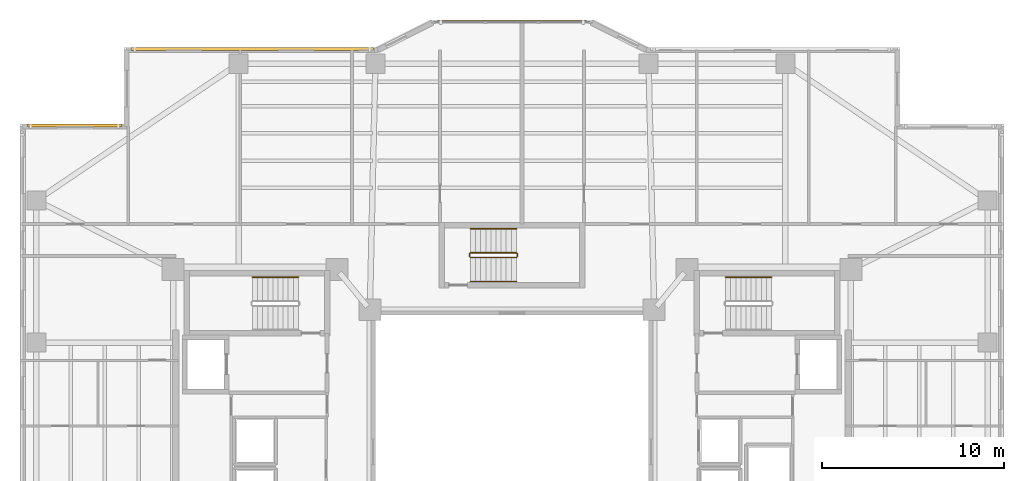
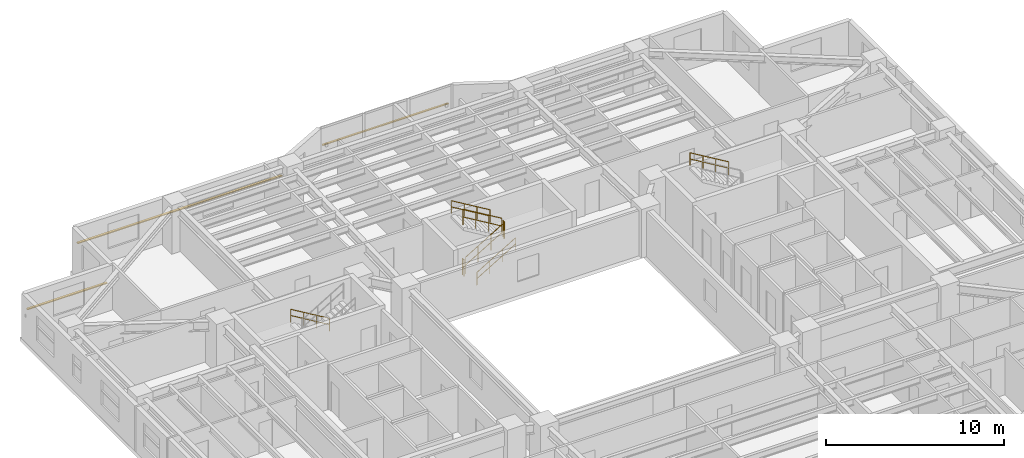
# One storey, part 17 of 18: 8 railings, 3 shading devices.
"""IFC4 building model written with IfcOpenShell, lengths in metres."""

from ifc_helpers import new_model, si_unit, direction, frame, origin, origin_2d, place, context, subcontext, project, spatial, rectangle, circle, extrude, material, material_profile, profile_set, type_object, element, save


model = new_model("IFC4")

# Units and contexts
model_context = context("Model", 3, precision=1e-05, world=origin(), true_north=direction((0.0, 1.0)))
body_context = subcontext(model_context, "Body", "Model", "MODEL_VIEW")
ifc_project = project(units=[si_unit("LENGTHUNIT", "METRE"), si_unit("AREAUNIT", "SQUARE_METRE"), si_unit("VOLUMEUNIT", "CUBIC_METRE"), si_unit("PLANEANGLEUNIT", "RADIAN"), si_unit("MASSUNIT", "GRAM", prefix="KILO")], contexts=[model_context])

# Site, building, storey
site_placement = place(None, origin())
site = spatial("IfcSite", under=ifc_project, at=site_placement, CompositionType="ELEMENT")
building_placement = place(site_placement, origin())
building = spatial("IfcBuilding", under=site, at=building_placement, Name="Tarnavaz Court Tower", CompositionType="ELEMENT")
storey_placement = place(building_placement, frame((0.0, 0.0, 105.10009765625)))
storey = spatial("IfcBuildingStorey", under=building, at=storey_placement, Name="L28", CompositionType="ELEMENT", Elevation=105.10009765625)

# Railings
ifc_material_1 = material(Name="Brushed Stainless Steel", Category="steel")
railing_type_1 = type_object("IfcRailingType", Name="RL-HANDRAIL-900", PredefinedType="HANDRAIL", material=ifc_material_1)
railing_1_placement = place(storey_placement, frame((-11.719970703125, 9.590087890625, 0.16748046875)))
element("IfcRailing", 1, at=railing_1_placement, inside=storey, type_object=railing_type_1, Name="L28 ST-W1 stair handrail 1", PredefinedType="HANDRAIL", context=body_context, shape_type="SweptSolid", body=[
    extrude(circle(Radius=0.02392578125, at=origin_2d()), frame((0.0, 0.0, 0.8759765625), z_axis=(-0.858196387827, 0.0, 0.513321497621), x_axis=(0.0, -1.0, 0.0)), (0.0, 0.0, 1.0), 2.9365234375),
    extrude(circle(Radius=0.02392578125, at=origin_2d()), frame((0.0, 0.0, 0.449951171875), z_axis=(-0.858196387827, 0.0, 0.513321497621), x_axis=(0.0, -1.0, 0.0)), (0.0, 0.0, 1.0), 2.9365234375),
    extrude(circle(Radius=0.02099609375, at=origin_2d()), origin(), (0.0, 0.0, 1.0), 0.851806640625),
    extrude(circle(Radius=0.02099609375, at=origin_2d()), frame((-0.840087890625, 0.0, 0.50244140625)), (0.0, 0.0, 1.0), 0.851806640625),
    extrude(circle(Radius=0.02099609375, at=origin_2d()), frame((-1.679931640625, 0.0, 1.0048828125)), (0.0, 0.0, 1.0), 0.851806640625),
    extrude(circle(Radius=0.02099609375, at=origin_2d()), frame((-2.52001953125, 0.0, 1.50732421875)), (0.0, 0.0, 1.0), 0.851806640625),
])
railing_2_placement = place(storey_placement, frame((14.239990234375, 9.590087890625, 1.84228515625)))
element("IfcRailing", 2, at=railing_2_placement, inside=storey, type_object=railing_type_1, Name="L28 ST-E1 stair handrail 2", PredefinedType="HANDRAIL", context=body_context, shape_type="SweptSolid", body=[
    extrude(circle(Radius=0.02392578125, at=origin_2d()), frame((0.0, 0.0, 0.8759765625), z_axis=(-0.858159760407, 0.0, 0.513382728203), x_axis=(0.0, -1.0, 0.0)), (0.0, 0.0, 1.0), 2.9365234375),
    extrude(circle(Radius=0.02392578125, at=origin_2d()), frame((0.0, 0.0, 0.449951171875), z_axis=(-0.858159760407, 0.0, 0.513382728203), x_axis=(0.0, -1.0, 0.0)), (0.0, 0.0, 1.0), 2.9365234375),
    extrude(circle(Radius=0.02099609375, at=origin_2d()), origin(), (0.0, 0.0, 1.0), 0.851806640625),
    extrude(circle(Radius=0.02099609375, at=origin_2d()), frame((-0.840087890625, 0.0, 0.50244140625)), (0.0, 0.0, 1.0), 0.851806640625),
    extrude(circle(Radius=0.02099609375, at=origin_2d()), frame((-1.679931640625, 0.0, 1.005126953125)), (0.0, 0.0, 1.0), 0.851806640625),
    extrude(circle(Radius=0.02099609375, at=origin_2d()), frame((-2.52001953125, 0.0, 1.507568359375)), (0.0, 0.0, 1.0), 0.851806640625),
])
railing_3_placement = place(storey_placement, frame((-2.280029296875, 9.35009765625, 0.16748046875)))
element("IfcRailing", 3, at=railing_3_placement, inside=storey, type_object=railing_type_1, Name="L28 ST-N1 stair handrail 1", PredefinedType="HANDRAIL", context=body_context, shape_type="SweptSolid", body=[
    extrude(circle(Radius=0.02392578125, at=origin_2d()), frame((0.0, 0.0, 0.8759765625), z_axis=(0.858196387827, 0.0, 0.513321497621), x_axis=(0.0, 1.0, 0.0)), (0.0, 0.0, 1.0), 2.9365234375),
    extrude(circle(Radius=0.02392578125, at=origin_2d()), frame((0.0, 0.0, 0.449951171875), z_axis=(0.858196387827, 0.0, 0.513321497621), x_axis=(0.0, 1.0, 0.0)), (0.0, 0.0, 1.0), 2.9365234375),
    extrude(circle(Radius=0.02099609375, at=origin_2d()), origin(), (0.0, 0.0, 1.0), 0.851806640625),
    extrude(circle(Radius=0.02099609375, at=origin_2d()), frame((0.840087890625, 0.0, 0.50244140625)), (0.0, 0.0, 1.0), 0.851806640625),
    extrude(circle(Radius=0.02099609375, at=origin_2d()), frame((1.679931640625, 0.0, 1.0048828125)), (0.0, 0.0, 1.0), 0.851806640625),
    extrude(circle(Radius=0.02099609375, at=origin_2d()), frame((2.52001953125, 0.0, 1.50732421875)), (0.0, 0.0, 1.0), 0.851806640625),
])
railing_4_placement = place(storey_placement, frame((0.239990234375, 12.239990234375, 1.84228515625)))
element("IfcRailing", 4, at=railing_4_placement, inside=storey, type_object=railing_type_1, Name="L28 ST-N1 stair handrail 2", PredefinedType="HANDRAIL", context=body_context, shape_type="SweptSolid", body=[
    extrude(circle(Radius=0.02392578125, at=origin_2d()), frame((0.0, 0.0, 0.8759765625), z_axis=(-0.858159760407, 0.0, 0.513382728203), x_axis=(0.0, -1.0, 0.0)), (0.0, 0.0, 1.0), 2.9365234375),
    extrude(circle(Radius=0.02392578125, at=origin_2d()), frame((0.0, 0.0, 0.449951171875), z_axis=(-0.858159760407, 0.0, 0.513382728203), x_axis=(0.0, -1.0, 0.0)), (0.0, 0.0, 1.0), 2.9365234375),
    extrude(circle(Radius=0.02099609375, at=origin_2d()), origin(), (0.0, 0.0, 1.0), 0.851806640625),
    extrude(circle(Radius=0.02099609375, at=origin_2d()), frame((-0.840087890625, 0.0, 0.50244140625)), (0.0, 0.0, 1.0), 0.851806640625),
    extrude(circle(Radius=0.02099609375, at=origin_2d()), frame((-1.679931640625, 0.0, 1.005126953125)), (0.0, 0.0, 1.0), 0.851806640625),
    extrude(circle(Radius=0.02099609375, at=origin_2d()), frame((-2.52001953125, 0.0, 1.507568359375)), (0.0, 0.0, 1.0), 0.851806640625),
])
ifc_material_2 = material(Name="Galvanized Painted Tubular Steel", Category="steel")
railing_type_2 = type_object("IfcRailingType", Name="RL-STGUARD-1120", PredefinedType="GUARDRAIL", material=ifc_material_2)
railing_5_placement = place(storey_placement, frame((-2.280029296875, 10.669921875, 0.16748046875)))
element("IfcRailing", 5, at=railing_5_placement, inside=storey, type_object=railing_type_2, Name="L28 ST-N1 stair guard 1", PredefinedType="GUARDRAIL", context=body_context, shape_type="SweptSolid", body=[
    extrude(circle(Radius=0.02392578125, at=origin_2d()), frame((0.0, 0.0, 1.09619140625), z_axis=(0.858196387827, 0.0, 0.513321497621), x_axis=(0.0, 1.0, 0.0)), (0.0, 0.0, 1.0), 2.9365234375),
    extrude(circle(Radius=0.02392578125, at=origin_2d()), frame((0.0, 0.0, 0.56005859375), z_axis=(0.858196387827, 0.0, 0.513321497621), x_axis=(0.0, 1.0, 0.0)), (0.0, 0.0, 1.0), 2.9365234375),
    extrude(circle(Radius=0.02099609375, at=origin_2d()), origin(), (0.0, 0.0, 1.0), 1.072021484375),
    extrude(circle(Radius=0.02099609375, at=origin_2d()), frame((0.840087890625, 0.0, 0.50244140625)), (0.0, 0.0, 1.0), 1.072021484375),
    extrude(circle(Radius=0.02099609375, at=origin_2d()), frame((1.679931640625, 0.0, 1.0048828125)), (0.0, 0.0, 1.0), 1.072021484375),
    extrude(circle(Radius=0.02099609375, at=origin_2d()), frame((2.52001953125, 0.0, 1.50732421875)), (0.0, 0.0, 1.0), 1.072021484375),
])
railing_6_placement = place(storey_placement, frame((0.2900390625, 10.719970703125, 1.6748046875)))
element("IfcRailing", 6, at=railing_6_placement, inside=storey, type_object=railing_type_2, Name="L28 ST-N1 stair guard 2", PredefinedType="GUARDRAIL", context=body_context, shape_type="SweptSolid", body=[
    extrude(circle(Radius=0.02392578125, at=origin_2d()), frame((0.0, 0.0, 1.09619140625), z_axis=(0.0, 1.0, 0.0), x_axis=(-1.0, 0.0, 0.0)), (0.0, 0.0, 1.0), 0.150146484375),
    extrude(circle(Radius=0.02392578125, at=origin_2d()), frame((0.0, 0.0, 0.56005859375), z_axis=(0.0, 1.0, 0.0), x_axis=(-1.0, 0.0, 0.0)), (0.0, 0.0, 1.0), 0.150146484375),
    extrude(circle(Radius=0.02099609375, at=origin_2d()), origin(), (0.0, 0.0, 1.0), 1.072021484375),
    extrude(circle(Radius=0.02099609375, at=origin_2d()), frame((0.0, 0.150146484375, 0.0)), (0.0, 0.0, 1.0), 1.072021484375),
])
railing_7_placement = place(storey_placement, frame((0.239990234375, 10.919921875, 1.84228515625)))
element("IfcRailing", 7, at=railing_7_placement, inside=storey, type_object=railing_type_2, Name="L28 ST-N1 stair guard 3", PredefinedType="GUARDRAIL", context=body_context, shape_type="SweptSolid", body=[
    extrude(circle(Radius=0.02392578125, at=origin_2d()), frame((0.0, 0.0, 1.09619140625), z_axis=(-0.858159760407, 0.0, 0.513382728203), x_axis=(0.0, -1.0, 0.0)), (0.0, 0.0, 1.0), 2.9365234375),
    extrude(circle(Radius=0.02392578125, at=origin_2d()), frame((0.0, 0.0, 0.56005859375), z_axis=(-0.858159760407, 0.0, 0.513382728203), x_axis=(0.0, -1.0, 0.0)), (0.0, 0.0, 1.0), 2.9365234375),
    extrude(circle(Radius=0.02099609375, at=origin_2d()), origin(), (0.0, 0.0, 1.0), 1.072021484375),
    extrude(circle(Radius=0.02099609375, at=origin_2d()), frame((-0.840087890625, 0.0, 0.50244140625)), (0.0, 0.0, 1.0), 1.072021484375),
    extrude(circle(Radius=0.02099609375, at=origin_2d()), frame((-1.679931640625, 0.0, 1.005126953125)), (0.0, 0.0, 1.0), 1.072021484375),
    extrude(circle(Radius=0.02099609375, at=origin_2d()), frame((-2.52001953125, 0.0, 1.507568359375)), (0.0, 0.0, 1.0), 1.072021484375),
])
railing_8_placement = place(storey_placement, frame((-2.330078125, 10.719970703125, 0.0)))
element("IfcRailing", 8, at=railing_8_placement, inside=storey, type_object=railing_type_2, Name="L28 ST-N1 stair guard 4", PredefinedType="GUARDRAIL", context=body_context, shape_type="SweptSolid", body=[
    extrude(circle(Radius=0.02392578125, at=origin_2d()), frame((0.0, 0.0, 1.09619140625), z_axis=(0.0, 1.0, 0.0), x_axis=(-1.0, 0.0, 0.0)), (0.0, 0.0, 1.0), 0.150146484375),
    extrude(circle(Radius=0.02392578125, at=origin_2d()), frame((0.0, 0.0, 0.56005859375), z_axis=(0.0, 1.0, 0.0), x_axis=(-1.0, 0.0, 0.0)), (0.0, 0.0, 1.0), 0.150146484375),
    extrude(circle(Radius=0.02099609375, at=origin_2d()), origin(), (0.0, 0.0, 1.0), 1.072021484375),
    extrude(circle(Radius=0.02099609375, at=origin_2d()), frame((0.0, 0.150146484375, 0.0)), (0.0, 0.0, 1.0), 1.072021484375),
])

# Shading devices
ifc_material_3 = material(Name="Kiln-Fired Khorasan Terracotta Ceramic", Category="masonry")
ifc_material_profile_1 = material_profile(ifc_material_3, rectangle(XDim=0.1201171875, YDim=0.06005859375, at=origin_2d()), Name="TC BAGUETTE 120X60")
ifc_profile_set_1 = profile_set([ifc_material_profile_1], Name="Kiln-Fired Khorasan Terracotta Ceramic")
shading_device_type_1 = type_object("IfcShadingDeviceType", Name="SD-BAG-120", PredefinedType="USERDEFINED", material=ifc_profile_set_1)
shading_device_1_placement = place(storey_placement, frame((-4.10009765625, 23.610107421875, 1.7998046875), z_axis=(1.0, 0.0, 0.0), x_axis=(0.0, 1.0, 0.0)))
element("IfcShadingDevice", 9, at=shading_device_1_placement, inside=storey, type_object=shading_device_type_1, Name="L28 Terracotta Baguette Screen PBG7", ObjectType="BAGUETTE", PredefinedType="USERDEFINED", context=body_context, shape_type="SweptSolid", body=[
    extrude(rectangle(XDim=0.1201171875, YDim=0.06005859375, at=origin_2d()), origin(), (0.0, 0.0, 1.0), 8.2001953125),
])
ifc_material_profile_2 = material_profile(ifc_material_3, rectangle(XDim=0.14990234375, YDim=0.06494140625, at=origin_2d()), Name="TC BAGUETTE 150X65")
ifc_profile_set_2 = profile_set([ifc_material_profile_2], Name="Kiln-Fired Khorasan Terracotta Ceramic")
shading_device_type_2 = type_object("IfcShadingDeviceType", Name="SD-BAG-150", PredefinedType="USERDEFINED", material=ifc_profile_set_2)
shading_device_2_placement = place(storey_placement, frame((-26.60009765625, 17.909912109375, 1.849853515625), z_axis=(1.0, 0.0, 0.0), x_axis=(0.0, 1.0, 0.0)))
element("IfcShadingDevice", 10, at=shading_device_2_placement, inside=storey, type_object=shading_device_type_2, Name="L28 Terracotta Baguette Screen FBG03", ObjectType="BAGUETTE", PredefinedType="USERDEFINED", context=body_context, shape_type="SweptSolid", body=[
    extrude(rectangle(XDim=0.14990234375, YDim=0.06494140625, at=origin_2d()), origin(), (0.0, 0.0, 1.0), 5.2001953125),
])
shading_device_3_placement = place(storey_placement, frame((-20.89990234375, 22.110107421875, 1.849853515625), z_axis=(1.0, 0.0, 0.0), x_axis=(0.0, 1.0, 0.0)))
element("IfcShadingDevice", 11, at=shading_device_3_placement, inside=storey, type_object=shading_device_type_2, Name="L28 Terracotta Baguette Screen FBG05", ObjectType="BAGUETTE", PredefinedType="USERDEFINED", context=body_context, shape_type="SweptSolid", body=[
    extrude(rectangle(XDim=0.14990234375, YDim=0.06494140625, at=origin_2d()), origin(), (0.0, 0.0, 1.0), 13.2998046875),
])

save(model, "model.ifc")
